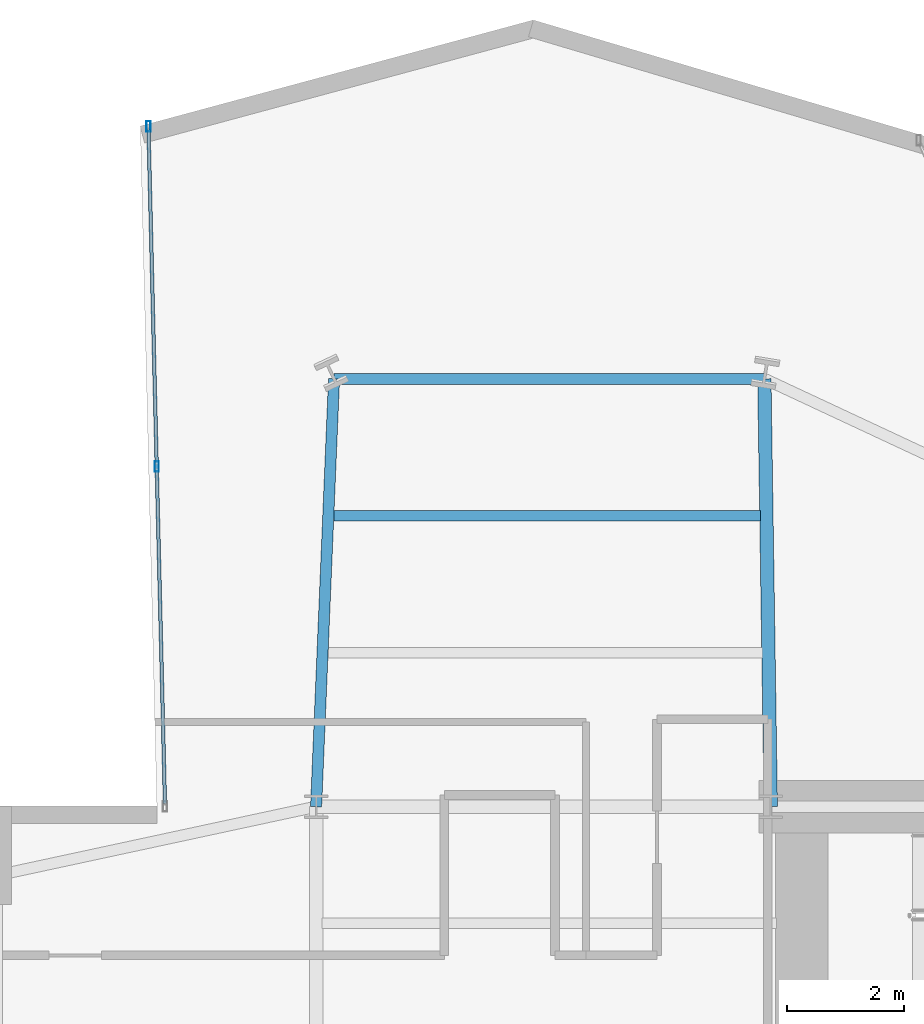
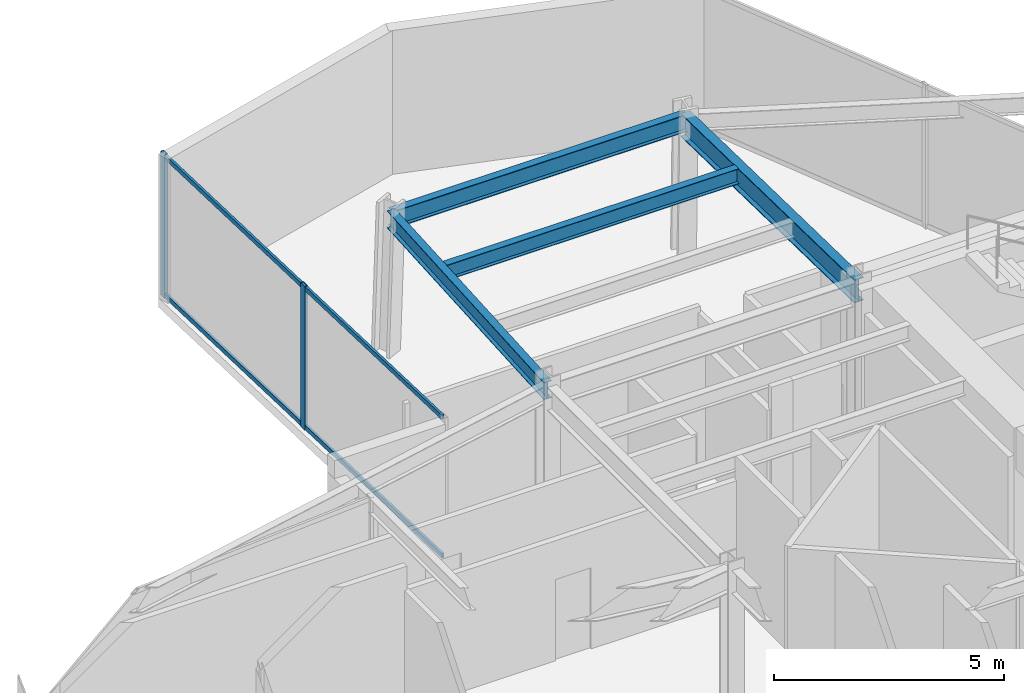
# One storey, part 16 of 25: 4 beams, 4 members, 1 element without a shape of its own.
"""IFC4 building model written with IfcOpenShell, lengths in metres."""

from ifc_helpers import new_model, si_unit, direction, frame, origin, origin_2d, place, context, subcontext, project, spatial, hollow_rectangle, i_section, extrude, material, layer, layer_set, material_profile, profile_set, type_object, element, aggregate, save


model = new_model("IFC4")

# Units and contexts
model_context = context("Model", 3, precision=1e-05, world=origin(), true_north=direction((0.0, 1.0)))
body_context = subcontext(model_context, "Body", "Model", "MODEL_VIEW")
ifc_project = project(units=[si_unit("LENGTHUNIT", "METRE"), si_unit("AREAUNIT", "SQUARE_METRE"), si_unit("VOLUMEUNIT", "CUBIC_METRE"), si_unit("PLANEANGLEUNIT", "RADIAN"), si_unit("MASSUNIT", "GRAM", prefix="KILO")], contexts=[model_context])

# Site, building, storey
site_placement = place(None, origin())
site = spatial("IfcSite", under=ifc_project, at=site_placement, CompositionType="ELEMENT")
building_placement = place(site_placement, origin())
building = spatial("IfcBuilding", under=site, at=building_placement, Name="Veymaron Broadcast Tower", CompositionType="ELEMENT")
storey_placement = place(building_placement, frame((0.0, 0.0, 82.35009765625)))
storey = spatial("IfcBuildingStorey", under=building, at=storey_placement, Name="L18", CompositionType="ELEMENT", Elevation=82.35009765625)

# Beams
ifc_material_1 = material(Name="Structural steel ASTM A992 Gr 50", Category="steel")
ifc_material_profile_1 = material_profile(ifc_material_1, i_section(OverallWidth=0.22998046875, OverallDepth=0.616943359375, WebThickness=0.01318359375, FlangeThickness=0.022216796875, at=origin_2d()), Name="W610X140")
ifc_profile_set_1 = profile_set([ifc_material_profile_1], Name="Structural steel ASTM A992 Gr 50")
beam_type_1 = type_object("IfcBeamType", Name="BM-FG1", PredefinedType="BEAM", material=ifc_profile_set_1)
beam_1_placement = place(storey_placement, frame((39.0, 32.0, 3.50146484375), z_axis=(-0.014999144036, 0.999887506512, 0.0), x_axis=(-0.999887506512, -0.014999144036, 0.0)))
element("IfcBeam", 1, at=beam_1_placement, inside=storey, type_object=beam_type_1, Name="L18 primary structural floor girder", PredefinedType="BEAM", context=body_context, shape_type="SweptSolid", body=[
    extrude(i_section(OverallWidth=0.22998046875, OverallDepth=0.616943359375, WebThickness=0.01318359375, FlangeThickness=0.022216796875, at=origin_2d()), origin(), (0.0, 0.0, 1.0), 7.3408203125),
])
ifc_material_profile_2 = material_profile(ifc_material_1, i_section(OverallWidth=0.177978515625, OverallDepth=0.406982421875, WebThickness=0.0078125, FlangeThickness=0.0126953125, at=origin_2d()), Name="W410X60")
ifc_profile_set_2 = profile_set([ifc_material_profile_2], Name="Structural steel ASTM A992 Gr 50")
beam_type_2 = type_object("IfcBeamType", Name="BM-JS1", PredefinedType="JOIST", material=ifc_profile_set_2)
beam_2_placement = place(storey_placement, frame((31.509521484375, 36.9912109375, 3.6064453125), z_axis=(1.0, 0.0, 0.0), x_axis=(0.0, 1.0, 0.0)))
element("IfcBeam", 2, at=beam_2_placement, inside=storey, type_object=beam_type_2, Name="L18 Arm-B secondary joist 2", PredefinedType="JOIST", context=body_context, shape_type="SweptSolid", body=[
    extrude(i_section(OverallWidth=0.177978515625, OverallDepth=0.406982421875, WebThickness=0.0078125, FlangeThickness=0.0126953125, at=origin_2d()), origin(), (0.0, 0.0, 1.0), 7.315673828125),
])
ifc_material_profile_3 = material_profile(ifc_material_1, i_section(OverallWidth=0.19091796875, OverallDepth=0.4599609375, WebThickness=0.010009765625, FlangeThickness=0.01611328125, at=origin_2d()), Name="W460X82")
ifc_profile_set_3 = profile_set([ifc_material_profile_3], Name="Structural steel ASTM A992 Gr 50")
beam_type_3 = type_object("IfcBeamType", Name="BM-SP1", PredefinedType="SPANDREL", material=ifc_profile_set_3)
beam_3_placement = place(storey_placement, frame((31.199951171875, 32.0, 3.579833984375), z_axis=(0.041938788281, 0.999120181979, 0.0), x_axis=(-0.999120181979, 0.041938788281, 0.0)))
element("IfcBeam", 3, at=beam_3_placement, inside=storey, type_object=beam_type_3, Name="L18 primary structural floor girder", PredefinedType="SPANDREL", context=body_context, shape_type="SweptSolid", body=[
    extrude(i_section(OverallWidth=0.19091796875, OverallDepth=0.4599609375, WebThickness=0.010009765625, FlangeThickness=0.01611328125, at=origin_2d()), origin(), (0.0, 0.0, 1.0), 7.346435546875),
])
beam_4_placement = place(storey_placement, frame((31.508056640625, 39.340087890625, 3.579833984375), z_axis=(1.0, 0.0, 0.0), x_axis=(0.0, 1.0, 0.0)))
element("IfcBeam", 4, at=beam_4_placement, inside=storey, type_object=beam_type_3, Name="L18 primary structural floor girder", PredefinedType="SPANDREL", context=body_context, shape_type="SweptSolid", body=[
    extrude(i_section(OverallWidth=0.19091796875, OverallDepth=0.4599609375, WebThickness=0.010009765625, FlangeThickness=0.01611328125, at=origin_2d()), origin(), (0.0, 0.0, 1.0), 7.3818359375),
])

# Curtain wall, members
ifc_material_2 = material(Name="Anodised aluminium AA 6063-T6 and laminated low-E dark glass", Category="aluminium")
ifc_layer = layer(ifc_material_2, 0.179931640625)
ifc_layer_set = layer_set([ifc_layer], Name="Anodised aluminium AA 6063-T6 and laminated low-E dark glass")
curtain_wall_type = type_object("IfcCurtainWallType", Name="CW-SYS-02", PredefinedType="NOTDEFINED", material=ifc_layer_set)
curtain_wall_placement = place(storey_placement, origin())
curtain_wall = element("IfcCurtainWall", 5, at=curtain_wall_placement, inside=storey, type_object=curtain_wall_type, Name="L18 dark-glass curtain wall CW-L18-E8-1", PredefinedType="NOTDEFINED")
ifc_material_3 = material(Name="Anodised aluminium AA 6063-T6", Category="aluminium")
ifc_material_profile_4 = material_profile(ifc_material_3, hollow_rectangle(XDim=0.074951171875, YDim=0.179931640625, WallThickness=0.0048828125, at=origin_2d()), Name="AL180X75X5")
ifc_profile_set_4 = profile_set([ifc_material_profile_4], Name="Anodised aluminium AA 6063-T6")
member_type_1 = type_object("IfcMemberType", Name="CW-MUL-02", PredefinedType="MULLION", material=ifc_profile_set_4)
member_1_placement = place(storey_placement, frame((28.323974609375, 43.66943359375, 0.0), z_axis=(0.0, 0.0, 1.0), x_axis=(1.0, 0.0, 0.0)))
member_1 = element("IfcMember", 6, at=member_1_placement, type_object=member_type_1, Name="CW-L18-E8-1 mullion 0", PredefinedType="MULLION", context=body_context, shape_type="SweptSolid", body=[
    extrude(hollow_rectangle(XDim=0.074951171875, YDim=0.179931640625, WallThickness=0.0048828125, at=origin_2d()), origin(), (0.0, 0.0, 1.0), 3.809814453125),
])
member_2_placement = place(storey_placement, frame((28.46630859375, 37.83642578125, 0.0), z_axis=(0.0, 0.0, 1.0), x_axis=(1.0, 0.0, 0.0)))
member_2 = element("IfcMember", 7, at=member_2_placement, type_object=member_type_1, Name="CW-L18-E8-1 mullion 1", PredefinedType="MULLION", context=body_context, shape_type="SweptSolid", body=[
    extrude(hollow_rectangle(XDim=0.074951171875, YDim=0.179931640625, WallThickness=0.0048828125, at=origin_2d()), origin(), (0.0, 0.0, 1.0), 3.809814453125),
])
ifc_material_profile_5 = material_profile(ifc_material_3, hollow_rectangle(XDim=0.06005859375, YDim=0.1201171875, WallThickness=0.00390625, at=origin_2d()), Name="AL120X60X4")
ifc_profile_set_5 = profile_set([ifc_material_profile_5], Name="Anodised aluminium AA 6063-T6")
member_type_2 = type_object("IfcMemberType", Name="CW-TRN-02", PredefinedType="USERDEFINED", material=ifc_profile_set_5)
member_3_placement = place(storey_placement, frame((28.3251953125, 43.619384765625, 0.06982421875), z_axis=(0.02439430893, -0.999702414567, 0.0), x_axis=(0.999702414567, 0.02439430893, 0.0)))
member_3 = element("IfcMember", 8, at=member_3_placement, type_object=member_type_2, Name="CW-L18-E8-1 transom B", ObjectType="TRANSOM", PredefinedType="USERDEFINED", context=body_context, shape_type="SweptSolid", body=[
    extrude(hollow_rectangle(XDim=0.06005859375, YDim=0.1201171875, WallThickness=0.00390625, at=origin_2d()), origin(), (0.0, 0.0, 1.0), 11.5693359375),
])
member_4_placement = place(storey_placement, frame((28.3251953125, 43.619384765625, 3.739990234375), z_axis=(0.02439430893, -0.999702414567, 0.0), x_axis=(0.999702414567, 0.02439430893, 0.0)))
member_4 = element("IfcMember", 9, at=member_4_placement, type_object=member_type_2, Name="CW-L18-E8-1 transom T", ObjectType="TRANSOM", PredefinedType="USERDEFINED", context=body_context, shape_type="SweptSolid", body=[
    extrude(hollow_rectangle(XDim=0.06005859375, YDim=0.1201171875, WallThickness=0.00390625, at=origin_2d()), origin(), (0.0, 0.0, 1.0), 11.5693359375),
])
aggregate(curtain_wall, [member_1, member_2, member_3, member_4])

save(model, "model.ifc")
